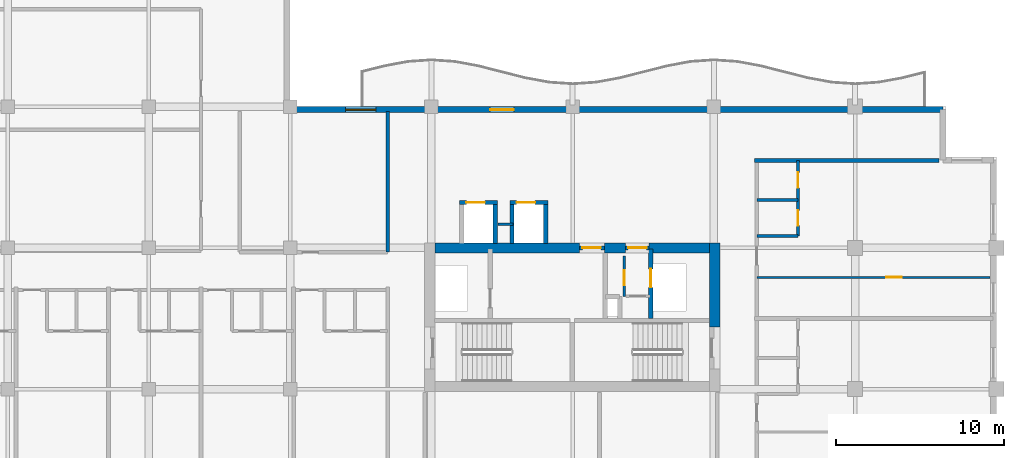
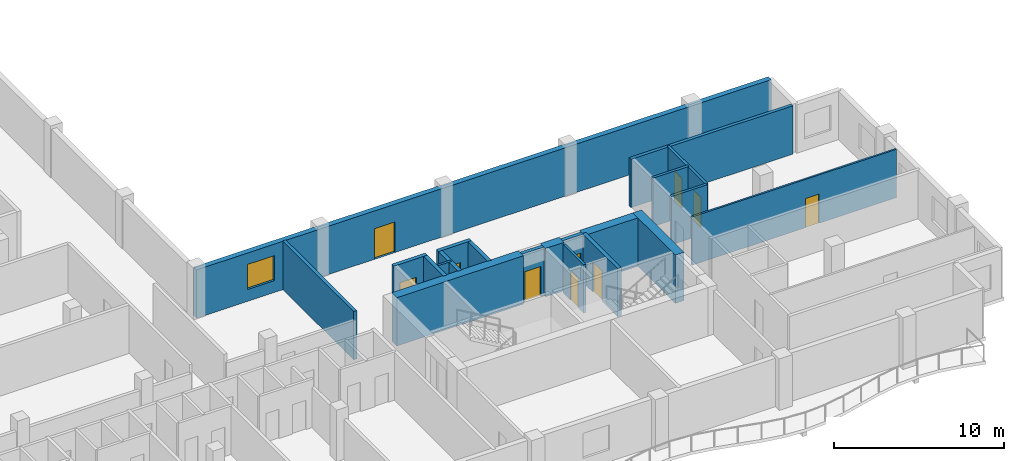
# One storey, part 8 of 15: 21 walls, 10 doors, 1 window, 11 openings.
"""IFC4 building model written with IfcOpenShell, lengths in metres."""

from ifc_helpers import new_model, si_unit, direction, frame, frame_2d, origin, place, context, subcontext, project, spatial, rectangle, extrude, material, layer, layer_set, type_object, element, fill, save


model = new_model("IFC4")

# Units and contexts
model_context = context("Model", 3, precision=1e-05, world=origin(), true_north=direction((0.0, 1.0)))
body_context = subcontext(model_context, "Body", "Model", "MODEL_VIEW")
ifc_project = project(units=[si_unit("LENGTHUNIT", "METRE"), si_unit("AREAUNIT", "SQUARE_METRE"), si_unit("VOLUMEUNIT", "CUBIC_METRE"), si_unit("PLANEANGLEUNIT", "RADIAN"), si_unit("MASSUNIT", "GRAM", prefix="KILO")], contexts=[model_context])

# Site, building, storey
site_placement = place(None, origin())
site = spatial("IfcSite", under=ifc_project, at=site_placement, CompositionType="ELEMENT")
building_placement = place(site_placement, origin())
building = spatial("IfcBuilding", under=site, at=building_placement, Name="Koriwani Terraces Tower", CompositionType="ELEMENT")
storey_placement = place(building_placement, frame((0.0, 0.0, 282.300048828125)))
storey = spatial("IfcBuildingStorey", under=building, at=storey_placement, Name="L70", CompositionType="ELEMENT", Elevation=282.300048828125)

# Walls
ifc_material_1 = material(Name="Concrete C60/75", Category="concrete")
ifc_layer_1 = layer(ifc_material_1, 0.60009765625, Name="Concrete C60/75")
ifc_layer_set_1 = layer_set([ifc_layer_1], Name="Concrete C60/75")
wall_type_1 = type_object("IfcWallType", Name="WALL_CORE_RC_600", PredefinedType="SHEAR", material=ifc_layer_set_1)
wall_1_placement = place(storey_placement, frame((58.85009765625, 20.5, 0.0), z_axis=(0.0, 0.0, 1.0), x_axis=(0.0, 1.0, 0.0)))
element("IfcWall", 1, at=wall_1_placement, inside=storey, type_object=wall_type_1, Name="L70 East Split Core Shear Wall E2", PredefinedType="SHEAR", context=body_context, shape_type="SweptSolid", body=[
    extrude(rectangle(XDim=5.0, YDim=0.60009765625, at=frame_2d((2.5, 0.0))), origin(), (0.0, 0.0, 1.0), 3.469970703125),
])
wall_2_placement = place(storey_placement, frame((42.199951171875, 25.199951171875, 0.0), z_axis=(0.0, 0.0, 1.0), x_axis=(1.0, 0.0, 0.0)))
element("IfcWall", 2, at=wall_2_placement, inside=storey, type_object=wall_type_1, Name="L70 East Split Core Shear Wall N1", PredefinedType="SHEAR", context=body_context, shape_type="SweptSolid", body=[
    extrude(rectangle(XDim=8.60009765625, YDim=0.60009765625, at=frame_2d((4.300048828125, 0.0))), origin(), (0.0, 0.0, 1.0), 3.469970703125),
])
wall_3_placement = place(storey_placement, frame((52.280029296875, 25.199951171875, 0.0), z_axis=(0.0, 0.0, 1.0), x_axis=(1.0, 0.0, 0.0)))
element("IfcWall", 3, at=wall_3_placement, inside=storey, type_object=wall_type_1, Name="L70 East Split Core Shear Wall N2", PredefinedType="SHEAR", context=body_context, shape_type="SweptSolid", body=[
    extrude(rectangle(XDim=1.27001953125, YDim=0.60009765625, at=frame_2d((0.635009765625, 0.0))), origin(), (0.0, 0.0, 1.0), 3.469970703125),
])
wall_4_placement = place(storey_placement, frame((54.949951171875, 25.199951171875, 0.0), z_axis=(0.0, 0.0, 1.0), x_axis=(1.0, 0.0, 0.0)))
element("IfcWall", 4, at=wall_4_placement, inside=storey, type_object=wall_type_1, Name="L70 East Split Core Shear Wall N3", PredefinedType="SHEAR", context=body_context, shape_type="SweptSolid", body=[
    extrude(rectangle(XDim=3.60009765625, YDim=0.60009765625, at=frame_2d((1.800048828125, 0.0))), origin(), (0.0, 0.0, 1.0), 3.469970703125),
])
ifc_material_2 = material(Name="Autoclaved Cellular Concrete Blockwork", Category="masonry")
ifc_layer_2 = layer(ifc_material_2, 0.219970703125, Name="Autoclaved Cellular Concrete Blockwork")
ifc_layer_set_2 = layer_set([ifc_layer_2], Name="Autoclaved Cellular Concrete Blockwork")
wall_type_2 = type_object("IfcWallType", Name="WALL_DEMISING_220", PredefinedType="PARTITIONING", material=ifc_layer_set_2)
wall_5_placement = place(storey_placement, frame((39.39990234375, 24.949951171875, 0.0), z_axis=(0.0, 0.0, 1.0), x_axis=(0.0, 1.0, 0.0)))
element("IfcWall", 5, at=wall_5_placement, inside=storey, type_object=wall_type_2, Name="L70 Interior Wall WIC4SE-L70", PredefinedType="PARTITIONING", context=body_context, shape_type="SweptSolid", body=[
    extrude(rectangle(XDim=8.35009765625, YDim=0.219970703125, at=frame_2d((4.175048828125, 0.0))), origin(), (0.0, 0.0, 1.0), 3.469970703125),
])
wall_6_placement = place(storey_placement, frame((61.199951171875, 30.39990234375, 0.0), z_axis=(0.0, 0.0, 1.0), x_axis=(1.0, 0.0, 0.0)))
element("IfcWall", 6, at=wall_6_placement, inside=storey, type_object=wall_type_2, Name="L70 Interior Wall WRDEME-L70-ETE", PredefinedType="PARTITIONING", context=body_context, shape_type="SweptSolid", body=[
    extrude(rectangle(XDim=10.97998046875, YDim=0.219970703125, at=frame_2d((5.489990234375, 0.0))), origin(), (0.0, 0.0, 1.0), 3.469970703125),
])

# Wall, openings, door, window
ifc_material_3 = material(Name="Concrete C50/60", Category="concrete")
ifc_layer_3 = layer(ifc_material_3, 0.35009765625, Name="Concrete C50/60")
ifc_layer_set_3 = layer_set([ifc_layer_3], Name="Concrete C50/60")
wall_type_3 = type_object("IfcWallType", Name="WALL_EXT_BRUTALIST_350", PredefinedType="STANDARD", material=ifc_layer_set_3)
wall_7_placement = place(storey_placement, frame((33.425048828125, 33.425048828125, 0.0), z_axis=(0.0, 0.0, 1.0), x_axis=(1.0, 0.0, 0.0)))
wall_7 = element("IfcWall", 7, at=wall_7_placement, inside=storey, type_object=wall_type_3, Name="L70 Fair-Faced Brutalist Exterior Wall (NE)", PredefinedType="STANDARD", context=body_context, shape_type="SweptSolid", body=[
    extrude(rectangle(XDim=39.0, YDim=0.35009765625, at=frame_2d((19.5, 0.0))), origin(), (0.0, 0.0, 1.0), 3.469970703125),
])
opening_1_placement = place(wall_7_placement, frame((12.074951171875, 0.0, 0.0)))
opening_1 = element("IfcOpeningElement", 8, at=opening_1_placement, cuts=wall_7, Name="Opening D-09", PredefinedType="OPENING", context=body_context, shape_type="SweptSolid", body=[
    extrude(rectangle(XDim=1.39990234375, YDim=2.199951171875, at=frame_2d((0.699951171875, 1.10009765625))), frame((0.0, 0.18505859375, 0.0), z_axis=(0.0, -1.0, 0.0), x_axis=(1.0, 0.0, 0.0)), (0.0, 0.0, 1.0), 0.3701171875),
])
opening_2_placement = place(wall_7_placement, frame((3.47509765625, 0.0, 0.85009765625)))
opening_2 = element("IfcOpeningElement", 9, at=opening_2_placement, cuts=wall_7, Name="Opening W-04", PredefinedType="OPENING", context=body_context, shape_type="SweptSolid", body=[
    extrude(rectangle(XDim=1.800048828125, YDim=1.800048828125, at=frame_2d((0.89990234375, 0.89990234375))), frame((0.0, 0.18505859375, 0.0), z_axis=(0.0, -1.0, 0.0), x_axis=(1.0, 0.0, 0.0)), (0.0, 0.0, 1.0), 0.3701171875),
])
ifc_material_4 = material(Name="Anodised Bronze Aluminium", Category="aluminium")
door_type_1 = type_object("IfcDoorType", Name="DOOR_BALCONY_GLAZED_1400X2200", OperationType="NOTDEFINED", PredefinedType="DOOR", material=ifc_material_4)
door_1_placement = place(opening_1_placement, origin())
door_1 = element("IfcDoor", 10, at=door_1_placement, inside=storey, type_object=door_type_1, Name="L70 Inner Court Balcony Glazed Door", OperationType="SINGLE_SWING_LEFT", OverallHeight=2.199951171875, OverallWidth=1.39990234375, PredefinedType="DOOR", context=body_context, shape_type="SweptSolid", body=[
    extrude(rectangle(XDim=1.39990234375, YDim=2.199951171875, at=frame_2d((0.699951171875, 1.10009765625))), frame((0.0, 0.02490234375, 0.0), z_axis=(0.0, -1.0, 0.0), x_axis=(1.0, 0.0, 0.0)), (0.0, 0.0, 1.0), 0.050048828125),
])
fill(opening_1, door_1)
ifc_material_5 = material(Name="Tempered Laminated Low-E Glass", Category="glass")
window_type = type_object("IfcWindowType", Name="WIN_RES_BED_1800X1800", PartitioningType="DOUBLE_PANEL_VERTICAL", PredefinedType="WINDOW", material=ifc_material_5)
window_placement = place(opening_2_placement, origin())
window = element("IfcWindow", 11, at=window_placement, inside=storey, type_object=window_type, Name="L70 Exterior Window (NE-2)", OverallHeight=1.800048828125, OverallWidth=1.800048828125, PartitioningType="SINGLE_PANEL", PredefinedType="WINDOW", context=body_context, shape_type="SweptSolid", body=[
    extrude(rectangle(XDim=1.800048828125, YDim=1.800048828125, at=frame_2d((0.89990234375, 0.89990234375))), frame((0.0, 0.030029296875, 0.0), z_axis=(0.0, -1.0, 0.0), x_axis=(1.0, 0.0, 0.0)), (0.0, 0.0, 1.0), 0.06005859375),
])
fill(opening_2, window)

# Wall, opening, door
ifc_material_6 = material(Name="Fire-Rated Acoustic Gypsum Partition", Category="masonry")
ifc_layer_4 = layer(ifc_material_6, 0.125, Name="Fire-Rated Acoustic Gypsum Partition")
ifc_layer_set_4 = layer_set([ifc_layer_4], Name="Fire-Rated Acoustic Gypsum Partition")
wall_type_4 = type_object("IfcWallType", Name="WALL_INT_125", PredefinedType="PARTITIONING", material=ifc_layer_set_4)
wall_8_placement = place(storey_placement, frame((61.35009765625, 23.449951171875, 0.0), z_axis=(0.0, 0.0, 1.0), x_axis=(1.0, 0.0, 0.0)))
wall_8 = element("IfcWall", 12, at=wall_8_placement, inside=storey, type_object=wall_type_4, Name="L70 Interior Wall WRBED1-L70-ETE-1", PredefinedType="PARTITIONING", context=body_context, shape_type="SweptSolid", body=[
    extrude(rectangle(XDim=13.869873046875, YDim=0.125, at=frame_2d((6.93505859375, 0.0))), origin(), (0.0, 0.0, 1.0), 3.469970703125),
])
opening_3_placement = place(wall_8_placement, frame((7.699951171875, 0.0, 0.0)))
opening_3 = element("IfcOpeningElement", 13, at=opening_3_placement, cuts=wall_8, Name="Opening D-06", PredefinedType="OPENING", context=body_context, shape_type="SweptSolid", body=[
    extrude(rectangle(XDim=0.919921875, YDim=2.10009765625, at=frame_2d((0.4599609375, 1.050048828125))), frame((0.0, 0.072509765625, 0.0), z_axis=(0.0, -1.0, 0.0), x_axis=(1.0, 0.0, 0.0)), (0.0, 0.0, 1.0), 0.14501953125),
])
ifc_material_7 = material(Name="Architectural Oak Fire Door", Category="wood")
door_type_2 = type_object("IfcDoorType", Name="DOOR_ROOM_INT_920X2100", OperationType="NOTDEFINED", PredefinedType="DOOR", material=ifc_material_7)
door_2_placement = place(opening_3_placement, origin())
door_2 = element("IfcDoor", 14, at=door_2_placement, inside=storey, type_object=door_type_2, Name="Apartment 70ETE2 Master Bedroom Door", OperationType="SINGLE_SWING_RIGHT", OverallHeight=2.10009765625, OverallWidth=0.919921875, PredefinedType="DOOR", context=body_context, shape_type="SweptSolid", body=[
    extrude(rectangle(XDim=0.919921875, YDim=2.10009765625, at=frame_2d((0.4599609375, 1.050048828125))), frame((0.0, 0.02490234375, 0.0), z_axis=(0.0, -1.0, 0.0), x_axis=(1.0, 0.0, 0.0)), (0.0, 0.0, 1.0), 0.050048828125),
])
fill(opening_3, door_2)

# Wall, openings, doors
ifc_layer_5 = layer(ifc_material_6, 0.179931640625, Name="Fire-Rated Acoustic Gypsum Partition")
ifc_layer_set_5 = layer_set([ifc_layer_5], Name="Fire-Rated Acoustic Gypsum Partition")
wall_type_5 = type_object("IfcWallType", Name="WALL_PLUMBING_180", PredefinedType="PLUMBINGWALL", material=ifc_layer_set_5)
wall_9_placement = place(storey_placement, frame((63.800048828125, 25.89990234375, 0.0), z_axis=(0.0, 0.0, 1.0), x_axis=(0.0, 1.0, 0.0)))
wall_9 = element("IfcWall", 15, at=wall_9_placement, inside=storey, type_object=wall_type_5, Name="L70 Interior Wall WRSVC-L70-ETE-1", PredefinedType="PLUMBINGWALL", context=body_context, shape_type="SweptSolid", body=[
    extrude(rectangle(XDim=4.5, YDim=0.179931640625, at=frame_2d((2.25, 0.0))), origin(), (0.0, 0.0, 1.0), 3.469970703125),
])
opening_4_placement = place(wall_9_placement, frame((0.6298828125, 0.0, 0.0)))
opening_4 = element("IfcOpeningElement", 16, at=opening_4_placement, cuts=wall_9, Name="Opening D-07", PredefinedType="OPENING", context=body_context, shape_type="SweptSolid", body=[
    extrude(rectangle(XDim=0.89990234375, YDim=2.10009765625, at=frame_2d((0.449951171875, 1.050048828125))), frame((0.0, 0.10009765625, 0.0), z_axis=(0.0, -1.0, 0.0), x_axis=(1.0, 0.0, 0.0)), (0.0, 0.0, 1.0), 0.199951171875),
])
opening_5_placement = place(wall_9_placement, frame((2.8701171875, 0.0, 0.0)))
opening_5 = element("IfcOpeningElement", 17, at=opening_5_placement, cuts=wall_9, Name="Opening D-06", PredefinedType="OPENING", context=body_context, shape_type="SweptSolid", body=[
    extrude(rectangle(XDim=0.919921875, YDim=2.10009765625, at=frame_2d((0.4599609375, 1.050048828125))), frame((0.0, 0.10009765625, 0.0), z_axis=(0.0, -1.0, 0.0), x_axis=(1.0, 0.0, 0.0)), (0.0, 0.0, 1.0), 0.199951171875),
])
door_type_3 = type_object("IfcDoorType", Name="DOOR_BATH_INT_900X2100", OperationType="NOTDEFINED", PredefinedType="DOOR", material=ifc_material_7)
door_3_placement = place(opening_4_placement, origin())
door_3 = element("IfcDoor", 18, at=door_3_placement, inside=storey, type_object=door_type_3, Name="Apartment 70ETE2 Bathroom Door", OperationType="SINGLE_SWING_RIGHT", OverallHeight=2.10009765625, OverallWidth=0.89990234375, PredefinedType="DOOR", context=body_context, shape_type="SweptSolid", body=[
    extrude(rectangle(XDim=0.89990234375, YDim=2.10009765625, at=frame_2d((0.449951171875, 1.050048828125))), frame((0.0, 0.02490234375, 0.0), z_axis=(0.0, -1.0, 0.0), x_axis=(1.0, 0.0, 0.0)), (0.0, 0.0, 1.0), 0.050048828125),
])
fill(opening_4, door_3)
door_4_placement = place(opening_5_placement, origin())
door_4 = element("IfcDoor", 19, at=door_4_placement, inside=storey, type_object=door_type_2, Name="Apartment 70ETE2 Kitchen Door", OperationType="SINGLE_SWING_LEFT", OverallHeight=2.10009765625, OverallWidth=0.919921875, PredefinedType="DOOR", context=body_context, shape_type="SweptSolid", body=[
    extrude(rectangle(XDim=0.919921875, YDim=2.10009765625, at=frame_2d((0.4599609375, 1.050048828125))), frame((0.0, 0.02490234375, 0.0), z_axis=(0.0, -1.0, 0.0), x_axis=(1.0, 0.0, 0.0)), (0.0, 0.0, 1.0), 0.050048828125),
])
fill(opening_5, door_4)

# Walls
for number, where, z_axis, x_axis, name in (
    (20, (61.35009765625, 25.89990234375, 0.0), (0.0, 0.0, 1.0), (1.0, 0.0, 0.0), "L70 Interior Wall WRSVCS-L70-ETE-1"),
    (21, (61.35009765625, 28.06005859375, 0.0), (0.0, 0.0, 1.0), (1.0, 0.0, 0.0), "L70 Interior Wall WRSVCM-L70-ETE-1"),
):
    element("IfcWall", number, at=place(storey_placement, frame(where, z_axis=z_axis, x_axis=x_axis)), inside=storey, type_object=wall_type_5, Name=name, PredefinedType="PLUMBINGWALL", context=body_context, shape_type="SweptSolid", body=[
        extrude(rectangle(XDim=2.449951171875, YDim=0.179931640625, at=frame_2d((1.22509765625, 0.0))), origin(), (0.0, 0.0, 1.0), 3.469970703125),
    ])

# Wall, opening, door
ifc_material_8 = material(Name="Concrete C40/50", Category="concrete")
ifc_layer_6 = layer(ifc_material_8, 0.25, Name="Concrete C40/50")
ifc_layer_set_6 = layer_set([ifc_layer_6], Name="Concrete C40/50")
wall_type_6 = type_object("IfcWallType", Name="WALL_SHAFT_RATED_250", PredefinedType="SOLIDWALL", material=ifc_layer_set_6)
wall_10_placement = place(storey_placement, frame((50.800048828125, 25.199951171875, 0.0), z_axis=(0.0, 0.0, 1.0), x_axis=(1.0, 0.0, 0.0)))
wall_10 = element("IfcWall", 22, at=wall_10_placement, inside=storey, type_object=wall_type_6, Name="L70 Interior Wall WIN-CE-L70-NP", PredefinedType="SOLIDWALL", context=body_context, shape_type="SweptSolid", body=[
    extrude(rectangle(XDim=1.47998046875, YDim=0.25, at=frame_2d((0.739990234375, 0.0))), origin(), (0.0, 0.0, 1.0), 3.469970703125),
])
opening_6_placement = place(wall_10_placement, frame((0.179931640625, 0.0, 0.0)))
opening_6 = element("IfcOpeningElement", 23, at=opening_6_placement, cuts=wall_10, Name="Opening D-03", PredefinedType="OPENING", context=body_context, shape_type="SweptSolid", body=[
    extrude(rectangle(XDim=1.10009765625, YDim=2.14990234375, at=frame_2d((0.550048828125, 1.074951171875))), frame((0.0, 0.135009765625, 0.0), z_axis=(0.0, -1.0, 0.0), x_axis=(1.0, 0.0, 0.0)), (0.0, 0.0, 1.0), 0.27001953125),
])
ifc_material_9 = material(Name="Steel ASTM A572 Grade 50", Category="steel")
door_type_4 = type_object("IfcDoorType", Name="DOOR_STAIR_FIRE_1100X2150", OperationType="NOTDEFINED", PredefinedType="DOOR", material=ifc_material_9)
door_5_placement = place(opening_6_placement, origin())
door_5 = element("IfcDoor", 24, at=door_5_placement, inside=storey, type_object=door_type_4, Name="L70 East Firefighting Lobby Door", OperationType="SINGLE_SWING_RIGHT", OverallHeight=2.14990234375, OverallWidth=1.10009765625, PredefinedType="DOOR", context=body_context, shape_type="SweptSolid", body=[
    extrude(rectangle(XDim=1.10009765625, YDim=2.14990234375, at=frame_2d((0.550048828125, 1.074951171875))), frame((0.0, 0.02490234375, 0.0), z_axis=(0.0, -1.0, 0.0), x_axis=(1.0, 0.0, 0.0)), (0.0, 0.0, 1.0), 0.050048828125),
])
fill(opening_6, door_5)

wall_11_placement = place(storey_placement, frame((55.050048828125, 21.0, 0.0), z_axis=(0.0, 0.0, 1.0), x_axis=(0.0, 1.0, 0.0)))
wall_11 = element("IfcWall", 25, at=wall_11_placement, inside=storey, type_object=wall_type_6, Name="L70 Interior Wall WIN-CE-L70-SE", PredefinedType="SOLIDWALL", context=body_context, shape_type="SweptSolid", body=[
    extrude(rectangle(XDim=4.14990234375, YDim=0.25, at=frame_2d((2.074951171875, 0.0))), origin(), (0.0, 0.0, 1.0), 3.469970703125),
])
opening_7_placement = place(wall_11_placement, frame((1.85009765625, 0.0, 0.0)))
opening_7 = element("IfcOpeningElement", 26, at=opening_7_placement, cuts=wall_11, Name="Opening LD-01", PredefinedType="OPENING", context=body_context, shape_type="SweptSolid", body=[
    extrude(rectangle(XDim=1.10009765625, YDim=2.14990234375, at=frame_2d((0.550048828125, 1.074951171875))), frame((0.0, 0.135009765625, 0.0), z_axis=(0.0, -1.0, 0.0), x_axis=(1.0, 0.0, 0.0)), (0.0, 0.0, 1.0), 0.27001953125),
])
door_type_5 = type_object("IfcDoorType", Name="DOOR_LIFT_LANDING_1100X2200", OperationType="NOTDEFINED", PredefinedType="DOOR", material=ifc_material_9)
door_6_placement = place(opening_7_placement, origin())
door_6 = element("IfcDoor", 27, at=door_6_placement, inside=storey, type_object=door_type_5, Name="L70 Goods Lift SE-02 Landing Door", OperationType="SLIDING_TO_LEFT", OverallHeight=2.14990234375, OverallWidth=1.10009765625, PredefinedType="DOOR", context=body_context, shape_type="SweptSolid", body=[
    extrude(rectangle(XDim=1.10009765625, YDim=2.14990234375, at=frame_2d((0.550048828125, 1.074951171875))), frame((0.0, 0.02490234375, 0.0), z_axis=(0.0, -1.0, 0.0), x_axis=(1.0, 0.0, 0.0)), (0.0, 0.0, 1.0), 0.050048828125),
])
fill(opening_7, door_6)

wall_12_placement = place(storey_placement, frame((53.550048828125, 25.199951171875, 0.0), z_axis=(0.0, 0.0, 1.0), x_axis=(1.0, 0.0, 0.0)))
wall_12 = element("IfcWall", 28, at=wall_12_placement, inside=storey, type_object=wall_type_6, Name="L70 Interior Wall WIN-CE-L70-NP2", PredefinedType="SOLIDWALL", context=body_context, shape_type="SweptSolid", body=[
    extrude(rectangle(XDim=1.39990234375, YDim=0.25, at=frame_2d((0.699951171875, 0.0))), origin(), (0.0, 0.0, 1.0), 3.469970703125),
])
opening_8_placement = place(wall_12_placement, frame((0.14990234375, 0.0, 0.0)))
opening_8 = element("IfcOpeningElement", 29, at=opening_8_placement, cuts=wall_12, Name="Opening D-03", PredefinedType="OPENING", context=body_context, shape_type="SweptSolid", body=[
    extrude(rectangle(XDim=1.10009765625, YDim=2.14990234375, at=frame_2d((0.550048828125, 1.074951171875))), frame((0.0, 0.135009765625, 0.0), z_axis=(0.0, -1.0, 0.0), x_axis=(1.0, 0.0, 0.0)), (0.0, 0.0, 1.0), 0.27001953125),
])
door_7_placement = place(opening_8_placement, origin())
door_7 = element("IfcDoor", 30, at=door_7_placement, inside=storey, type_object=door_type_4, Name="L70 East Goods Lift Lobby Door", OperationType="SINGLE_SWING_LEFT", OverallHeight=2.14990234375, OverallWidth=1.10009765625, PredefinedType="DOOR", context=body_context, shape_type="SweptSolid", body=[
    extrude(rectangle(XDim=1.10009765625, YDim=2.14990234375, at=frame_2d((0.550048828125, 1.074951171875))), frame((0.0, 0.02490234375, 0.0), z_axis=(0.0, -1.0, 0.0), x_axis=(1.0, 0.0, 0.0)), (0.0, 0.0, 1.0), 0.050048828125),
])
fill(opening_8, door_7)

wall_13_placement = place(storey_placement, frame((43.675048828125, 27.89990234375, 0.0), z_axis=(0.0, 0.0, 1.0), x_axis=(1.0, 0.0, 0.0)))
wall_13 = element("IfcWall", 31, at=wall_13_placement, inside=storey, type_object=wall_type_6, Name="L70 Interior Wall WIN-LF-PE-H3-L70-F", PredefinedType="SOLIDWALL", context=body_context, shape_type="SweptSolid", body=[
    extrude(rectangle(XDim=2.25, YDim=0.25, at=frame_2d((1.125, 0.0))), origin(), (0.0, 0.0, 1.0), 3.469970703125),
])
opening_9_placement = place(wall_13_placement, frame((0.39990234375, 0.0, 0.0)))
opening_9 = element("IfcOpeningElement", 32, at=opening_9_placement, cuts=wall_13, Name="Opening LD-01", PredefinedType="OPENING", context=body_context, shape_type="SweptSolid", body=[
    extrude(rectangle(XDim=1.10009765625, YDim=2.14990234375, at=frame_2d((0.550048828125, 1.074951171875))), frame((0.0, 0.135009765625, 0.0), z_axis=(0.0, -1.0, 0.0), x_axis=(1.0, 0.0, 0.0)), (0.0, 0.0, 1.0), 0.27001953125),
])
door_8_placement = place(opening_9_placement, origin())
door_8 = element("IfcDoor", 33, at=door_8_placement, inside=storey, type_object=door_type_5, Name="L70 Passenger Lift PE-H3 Landing Door", OperationType="SLIDING_TO_LEFT", OverallHeight=2.14990234375, OverallWidth=1.10009765625, PredefinedType="DOOR", context=body_context, shape_type="SweptSolid", body=[
    extrude(rectangle(XDim=1.10009765625, YDim=2.14990234375, at=frame_2d((0.550048828125, 1.074951171875))), frame((0.0, 0.02490234375, 0.0), z_axis=(0.0, -1.0, 0.0), x_axis=(1.0, 0.0, 0.0)), (0.0, 0.0, 1.0), 0.050048828125),
])
fill(opening_9, door_8)

# Wall
wall_14_placement = place(storey_placement, frame((45.800048828125, 25.449951171875, 0.0), z_axis=(0.0, 0.0, 1.0), x_axis=(0.0, 1.0, 0.0)))
element("IfcWall", 34, at=wall_14_placement, inside=storey, type_object=wall_type_6, Name="L70 Interior Wall WIN-LF-PE-H3-L70-E", PredefinedType="SOLIDWALL", context=body_context, shape_type="SweptSolid", body=[
    extrude(rectangle(XDim=2.324951171875, YDim=0.25, at=frame_2d((1.16259765625, 0.0))), origin(), (0.0, 0.0, 1.0), 3.469970703125),
])

# Wall, opening, door
wall_15_placement = place(storey_placement, frame((46.675048828125, 27.89990234375, 0.0), z_axis=(0.0, 0.0, 1.0), x_axis=(1.0, 0.0, 0.0)))
wall_15 = element("IfcWall", 35, at=wall_15_placement, inside=storey, type_object=wall_type_6, Name="L70 Interior Wall WIN-LF-PE-H4-L70-F", PredefinedType="SOLIDWALL", context=body_context, shape_type="SweptSolid", body=[
    extrude(rectangle(XDim=2.25, YDim=0.25, at=frame_2d((1.125, 0.0))), origin(), (0.0, 0.0, 1.0), 3.469970703125),
])
opening_10_placement = place(wall_15_placement, frame((0.39990234375, 0.0, 0.0)))
opening_10 = element("IfcOpeningElement", 36, at=opening_10_placement, cuts=wall_15, Name="Opening LD-01", PredefinedType="OPENING", context=body_context, shape_type="SweptSolid", body=[
    extrude(rectangle(XDim=1.10009765625, YDim=2.14990234375, at=frame_2d((0.550048828125, 1.074951171875))), frame((0.0, 0.135009765625, 0.0), z_axis=(0.0, -1.0, 0.0), x_axis=(1.0, 0.0, 0.0)), (0.0, 0.0, 1.0), 0.27001953125),
])
door_9_placement = place(opening_10_placement, origin())
door_9 = element("IfcDoor", 37, at=door_9_placement, inside=storey, type_object=door_type_5, Name="L70 Passenger Lift PE-H4 Landing Door", OperationType="SLIDING_TO_LEFT", OverallHeight=2.14990234375, OverallWidth=1.10009765625, PredefinedType="DOOR", context=body_context, shape_type="SweptSolid", body=[
    extrude(rectangle(XDim=1.10009765625, YDim=2.14990234375, at=frame_2d((0.550048828125, 1.074951171875))), frame((0.0, 0.02490234375, 0.0), z_axis=(0.0, -1.0, 0.0), x_axis=(1.0, 0.0, 0.0)), (0.0, 0.0, 1.0), 0.050048828125),
])
fill(opening_10, door_9)

# Walls
for number, where, z_axis, x_axis, name in (
    (38, (46.800048828125, 25.449951171875, 0.0), (0.0, 0.0, 1.0), (0.0, 1.0, 0.0), "L70 Interior Wall WIN-LF-PE-H4-L70-W"),
    (39, (48.800048828125, 25.449951171875, 0.0), (0.0, 0.0, 1.0), (0.0, 1.0, 0.0), "L70 Interior Wall WIN-LF-PE-H4-L70-E"),
):
    element("IfcWall", number, at=place(storey_placement, frame(where, z_axis=z_axis, x_axis=x_axis)), inside=storey, type_object=wall_type_6, Name=name, PredefinedType="SOLIDWALL", context=body_context, shape_type="SweptSolid", body=[
        extrude(rectangle(XDim=2.324951171875, YDim=0.25, at=frame_2d((1.16259765625, 0.0))), origin(), (0.0, 0.0, 1.0), 3.469970703125),
    ])

# Wall, opening, door
ifc_layer_7 = layer(ifc_material_6, 0.159912109375, Name="Fire-Rated Acoustic Gypsum Partition")
ifc_layer_set_7 = layer_set([ifc_layer_7], Name="Fire-Rated Acoustic Gypsum Partition")
wall_type_7 = type_object("IfcWallType", Name="WALL_SUITE_160", PredefinedType="PARTITIONING", material=ifc_layer_set_7)
wall_16_placement = place(storey_placement, frame((53.4599609375, 22.320068359375, 0.0), z_axis=(0.0, 0.0, 1.0), x_axis=(0.0, 1.0, 0.0)))
wall_16 = element("IfcWall", 40, at=wall_16_placement, inside=storey, type_object=wall_type_7, Name="L70 Interior Wall WIN-CE-L70-SV1B", PredefinedType="PARTITIONING", context=body_context, shape_type="SweptSolid", body=[
    extrude(rectangle(XDim=2.39990234375, YDim=0.159912109375, at=frame_2d((1.199951171875, 0.0))), origin(), (0.0, 0.0, 1.0), 3.469970703125),
])
opening_11_placement = place(wall_16_placement, frame((0.64990234375, 0.0, 0.0)))
opening_11 = element("IfcOpeningElement", 41, at=opening_11_placement, cuts=wall_16, Name="Opening D-07", PredefinedType="OPENING", context=body_context, shape_type="SweptSolid", body=[
    extrude(rectangle(XDim=0.89990234375, YDim=2.10009765625, at=frame_2d((0.449951171875, 1.050048828125))), frame((0.0, 0.08984375, 0.0), z_axis=(0.0, -1.0, 0.0), x_axis=(1.0, 0.0, 0.0)), (0.0, 0.0, 1.0), 0.179931640625),
])
door_10_placement = place(opening_11_placement, origin())
door_10 = element("IfcDoor", 42, at=door_10_placement, inside=storey, type_object=door_type_3, Name="L70 East Cleaners Closet Door", OperationType="SINGLE_SWING_LEFT", OverallHeight=2.10009765625, OverallWidth=0.89990234375, PredefinedType="DOOR", context=body_context, shape_type="SweptSolid", body=[
    extrude(rectangle(XDim=0.89990234375, YDim=2.10009765625, at=frame_2d((0.449951171875, 1.050048828125))), frame((0.0, 0.02490234375, 0.0), z_axis=(0.0, -1.0, 0.0), x_axis=(1.0, 0.0, 0.0)), (0.0, 0.0, 1.0), 0.050048828125),
])
fill(opening_11, door_10)

# Wall
wall_17_placement = place(storey_placement, frame((45.9599609375, 26.60009765625, 0.0), z_axis=(0.0, 0.0, 1.0), x_axis=(1.0, 0.0, 0.0)))
element("IfcWall", 43, at=wall_17_placement, inside=storey, type_object=wall_type_7, Name="L70 Interior Wall WIN-LF-PEH34-MID-L70", PredefinedType="PARTITIONING", context=body_context, shape_type="SweptSolid", body=[
    extrude(rectangle(XDim=0.880126953125, YDim=0.159912109375, at=frame_2d((0.43994140625, 0.0))), origin(), (0.0, 0.0, 1.0), 3.469970703125),
])

save(model, "model.ifc")
